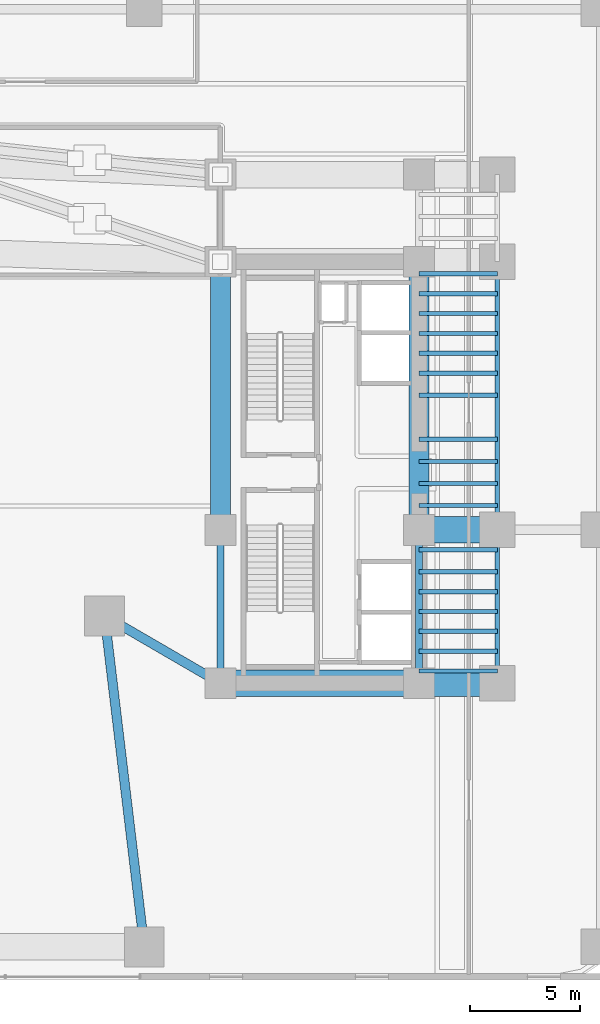
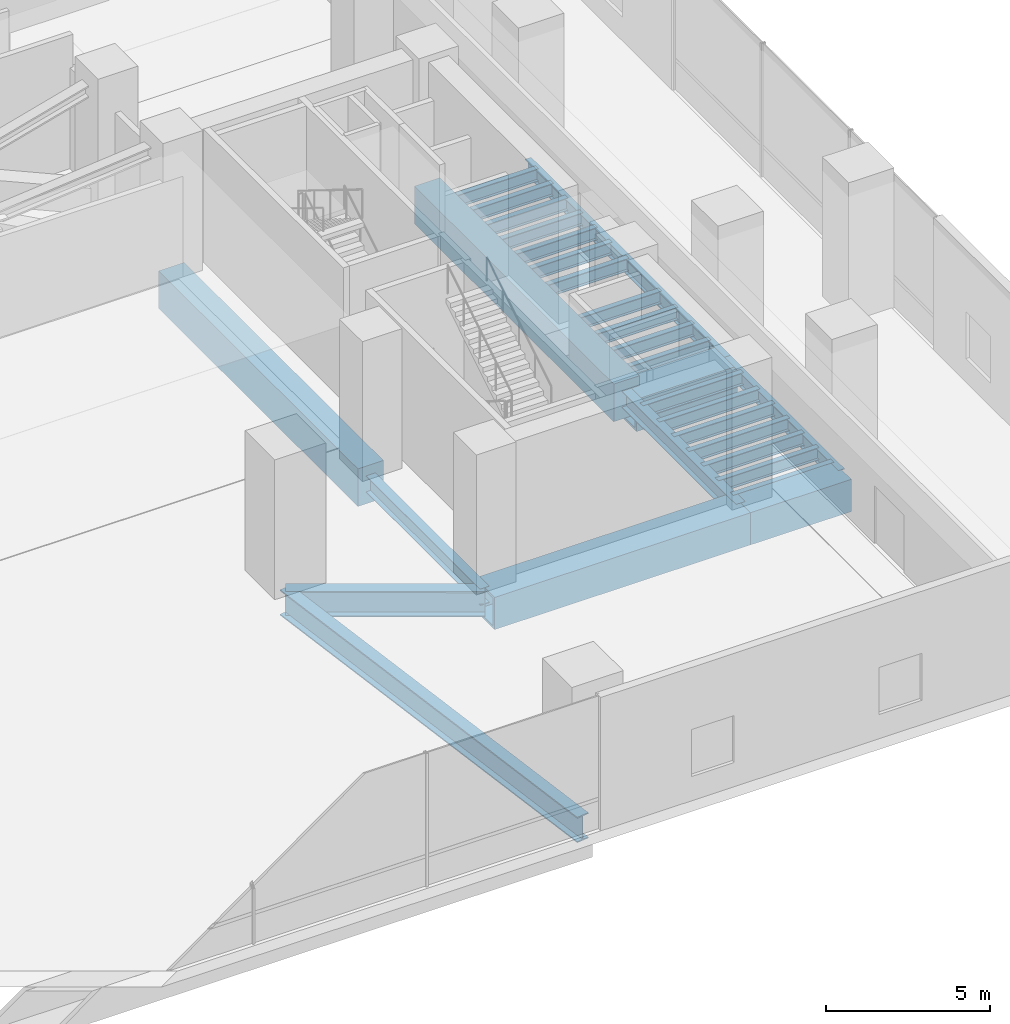
# One storey, part 11 of 41: 29 beams.
"""IFC4 building model written with IfcOpenShell, lengths in metres."""

from ifc_helpers import new_model, si_unit, direction, frame, origin, origin_2d, place, context, subcontext, project, spatial, rectangle, hollow_rectangle, i_section, extrude, source, transform, mapped, material, material_profile, profile_set, type_object, element, save


model = new_model("IFC4")

# Units and contexts
model_context = context("Model", 3, precision=1e-05, world=origin(), true_north=direction((0.0, 1.0)))
body_context = subcontext(model_context, "Body", "Model", "MODEL_VIEW")
ifc_project = project(units=[si_unit("LENGTHUNIT", "METRE"), si_unit("AREAUNIT", "SQUARE_METRE"), si_unit("VOLUMEUNIT", "CUBIC_METRE"), si_unit("PLANEANGLEUNIT", "RADIAN"), si_unit("MASSUNIT", "GRAM", prefix="KILO")], contexts=[model_context])

# Site, building, storey
site_placement = place(None, origin())
site = spatial("IfcSite", under=ifc_project, at=site_placement, CompositionType="ELEMENT")
building_placement = place(site_placement, origin())
building = spatial("IfcBuilding", under=site, at=building_placement, Name="Valdorenza Pilgrim Sanctuary Tower", CompositionType="ELEMENT")
storey_placement = place(building_placement, frame((0.0, 0.0, 20.800048828125)))
storey = spatial("IfcBuildingStorey", under=building, at=storey_placement, Name="L04", CompositionType="ELEMENT", Elevation=20.800048828125)

# Beams
ifc_material_1 = material(Name="Concrete C60/75", Category="concrete")
ifc_material_profile_1 = material_profile(ifc_material_1, rectangle(XDim=0.89990234375, YDim=1.39990234375, at=origin_2d()), Name="RC 1400x900")
ifc_profile_set_1 = profile_set([ifc_material_profile_1], Name="Concrete C60/75")
beam_type_1 = type_object("IfcBeamType", Name="STR-BM-LNT-1400", PredefinedType="LINTEL", material=ifc_profile_set_1)
shared_shape_1 = source(origin(), body_context, "Body", "SweptSolid", [
    extrude(rectangle(XDim=0.89990234375, YDim=1.39990234375, at=origin_2d()), origin(), (0.0, 0.0, 1.0), 12.150146484375),
])
for number, where, z_axis, x_axis, name in (
    (1, (15.85009765625, -2.60009765625, -0.739990234375), (0.0, 1.0, 0.0), (-1.0, 0.0, 0.0), "L04 Core B West Coupling Lintel Girder"),
    (2, (24.85009765625, -2.60009765625, -0.739990234375), (0.0, 1.0, 0.0), (-1.0, 0.0, 0.0), "L04 Core B East Coupling Lintel Girder"),
):
    element("IfcBeam", number, at=place(storey_placement, frame(where, z_axis=z_axis, x_axis=x_axis)), inside=storey, type_object=beam_type_1, Name=name, PredefinedType="LINTEL", context=body_context, shape_type="MappedRepresentation", body=[
        mapped(shared_shape_1, transform((0.0, 0.0, 0.0), x_axis=(1.0, 0.0, 0.0), y_axis=(0.0, 1.0, 0.0), z_axis=(0.0, 0.0, 1.0), scale=1.0)),
    ])
ifc_material_2 = material(Name="Steel ASTM A992 Grade 50", Category="steel")
ifc_material_profile_2 = material_profile(ifc_material_2, i_section(OverallWidth=0.323974609375, OverallDepth=0.611083984375, WebThickness=0.0126953125, FlangeThickness=0.01904296875, at=origin_2d()), Name="W24X104")
ifc_profile_set_2 = profile_set([ifc_material_profile_2], Name="Steel ASTM A992 Grade 50")
beam_type_2 = type_object("IfcBeamType", Name="STR-BM-GRD-W24B", PredefinedType="BEAM", material=ifc_profile_set_2)
shared_shape_2 = source(origin(), body_context, "Body", "SweptSolid", [
    extrude(i_section(OverallWidth=0.323974609375, OverallDepth=0.611083984375, WebThickness=0.0126953125, FlangeThickness=0.01904296875, at=origin_2d()), origin(), (0.0, 0.0, 1.0), 6.949951171875),
])
for number, where, z_axis, x_axis, name in (
    (3, (15.85009765625, -9.550048828125, -0.70556640625), (0.0, 1.0, 0.0), (-1.0, 0.0, 0.0), "L04 Core Tie Girder CB-W-S1M0"),
    (4, (24.85009765625, -9.550048828125, -0.70556640625), (0.0, 1.0, 0.0), (-1.0, 0.0, 0.0), "L04 Core Tie Girder CB-E-S1M0"),
):
    element("IfcBeam", number, at=place(storey_placement, frame(where, z_axis=z_axis, x_axis=x_axis)), inside=storey, type_object=beam_type_2, Name=name, PredefinedType="BEAM", context=body_context, shape_type="MappedRepresentation", body=[
        mapped(shared_shape_2, transform((0.0, 0.0, 0.0), x_axis=(1.0, 0.0, 0.0), y_axis=(0.0, 1.0, 0.0), z_axis=(0.0, 0.0, 1.0), scale=1.0)),
    ])
ifc_material_profile_3 = material_profile(ifc_material_2, i_section(OverallWidth=0.214111328125, OverallDepth=0.549072265625, WebThickness=0.0146484375, FlangeThickness=0.023681640625, at=origin_2d()), Name="W21X93")
ifc_profile_set_3 = profile_set([ifc_material_profile_3], Name="Steel ASTM A992 Grade 50")
beam_type_3 = type_object("IfcBeamType", Name="STR-BM-SPN-W21A", PredefinedType="SPANDREL", material=ifc_profile_set_3)
shared_shape_3 = source(origin(), body_context, "Body", "SweptSolid", [
    extrude(i_section(OverallWidth=0.214111328125, OverallDepth=0.549072265625, WebThickness=0.0146484375, FlangeThickness=0.023681640625, at=origin_2d()), origin(), (0.0, 0.0, 1.0), 6.949951171875),
])
beam_1_placement = place(storey_placement, frame((28.39990234375, -9.550048828125, -0.674560546875), z_axis=(0.0, 1.0, 0.0), x_axis=(-1.0, 0.0, 0.0)))
element("IfcBeam", 5, at=beam_1_placement, inside=storey, type_object=beam_type_3, Name="L04 Spandrel Beam WB-E-S1M0", PredefinedType="SPANDREL", context=body_context, shape_type="MappedRepresentation", body=[
    mapped(shared_shape_3, transform((0.0, 0.0, 0.0), x_axis=(1.0, 0.0, 0.0), y_axis=(0.0, 1.0, 0.0), z_axis=(0.0, 0.0, 1.0), scale=1.0)),
])
shared_shape_4 = source(origin(), body_context, "Body", "SweptSolid", [
    extrude(i_section(OverallWidth=0.214111328125, OverallDepth=0.549072265625, WebThickness=0.0146484375, FlangeThickness=0.023681640625, at=origin_2d()), origin(), (0.0, 0.0, 1.0), 12.150146484375),
])
beam_2_placement = place(storey_placement, frame((28.39990234375, -2.60009765625, -0.674560546875), z_axis=(0.0, 1.0, 0.0), x_axis=(-1.0, 0.0, 0.0)))
element("IfcBeam", 6, at=beam_2_placement, inside=storey, type_object=beam_type_3, Name="L04 Spandrel Beam WB-E-M0N1", PredefinedType="SPANDREL", context=body_context, shape_type="MappedRepresentation", body=[
    mapped(shared_shape_4, transform((0.0, 0.0, 0.0), x_axis=(1.0, 0.0, 0.0), y_axis=(0.0, 1.0, 0.0), z_axis=(0.0, 0.0, 1.0), scale=1.0)),
])
ifc_material_profile_4 = material_profile(ifc_material_2, i_section(OverallWidth=0.193115234375, OverallDepth=0.466064453125, WebThickness=0.011474609375, FlangeThickness=0.01904296875, at=origin_2d()), Name="W18X65")
ifc_profile_set_4 = profile_set([ifc_material_profile_4], Name="Steel ASTM A992 Grade 50")
beam_type_4 = type_object("IfcBeamType", Name="STR-BM-JST-W18A", PredefinedType="JOIST", material=ifc_profile_set_4)
shared_shape_5 = source(origin(), body_context, "Body", "SweptSolid", [
    extrude(i_section(OverallWidth=0.193115234375, OverallDepth=0.466064453125, WebThickness=0.011474609375, FlangeThickness=0.01904296875, at=origin_2d()), origin(), (0.0, 0.0, 1.0), 3.5498046875),
])
for number, where, z_axis, x_axis, name in (
    (7, (24.85009765625, -9.0, -0.633056640625), (1.0, 0.0, 0.0), (0.0, 1.0, 0.0), "L04 Composite Floor Joist JST-WB-1"),
    (8, (24.85009765625, -8.10009765625, -0.633056640625), (1.0, 0.0, 0.0), (0.0, 1.0, 0.0), "L04 Composite Floor Joist JST-WB-2"),
    (9, (24.85009765625, -7.199951171875, -0.633056640625), (1.0, 0.0, 0.0), (0.0, 1.0, 0.0), "L04 Composite Floor Joist JST-WB-3"),
    (10, (24.85009765625, -6.300048828125, -0.633056640625), (1.0, 0.0, 0.0), (0.0, 1.0, 0.0), "L04 Composite Floor Joist JST-WB-4"),
    (11, (24.85009765625, -5.39990234375, -0.633056640625), (1.0, 0.0, 0.0), (0.0, 1.0, 0.0), "L04 Composite Floor Joist JST-WB-5"),
    (12, (24.85009765625, -4.5, -0.633056640625), (1.0, 0.0, 0.0), (0.0, 1.0, 0.0), "L04 Composite Floor Joist JST-WB-6"),
    (13, (24.85009765625, -3.5, -0.633056640625), (1.0, 0.0, 0.0), (0.0, 1.0, 0.0), "L04 Composite Floor Joist JST-WB-7"),
    (14, (24.85009765625, -1.5, -0.633056640625), (1.0, 0.0, 0.0), (0.0, 1.0, 0.0), "L04 Composite Floor Joist JST-WB-8"),
    (15, (24.85009765625, -0.5, -0.633056640625), (1.0, 0.0, 0.0), (0.0, 1.0, 0.0), "L04 Composite Floor Joist JST-WB-9"),
    (16, (24.85009765625, 0.5, -0.633056640625), (1.0, 0.0, 0.0), (0.0, 1.0, 0.0), "L04 Composite Floor Joist JST-WB-10"),
    (17, (24.85009765625, 1.5, -0.633056640625), (1.0, 0.0, 0.0), (0.0, 1.0, 0.0), "L04 Composite Floor Joist JST-WB-11"),
    (18, (24.85009765625, 3.5, -0.633056640625), (1.0, 0.0, 0.0), (0.0, 1.0, 0.0), "L04 Composite Floor Joist JST-WB-12"),
    (19, (24.85009765625, 4.5, -0.633056640625), (1.0, 0.0, 0.0), (0.0, 1.0, 0.0), "L04 Composite Floor Joist JST-WB-13"),
    (20, (24.85009765625, 5.39990234375, -0.633056640625), (1.0, 0.0, 0.0), (0.0, 1.0, 0.0), "L04 Composite Floor Joist JST-WB-14"),
    (21, (24.85009765625, 6.300048828125, -0.633056640625), (1.0, 0.0, 0.0), (0.0, 1.0, 0.0), "L04 Composite Floor Joist JST-WB-15"),
    (22, (24.85009765625, 7.199951171875, -0.633056640625), (1.0, 0.0, 0.0), (0.0, 1.0, 0.0), "L04 Composite Floor Joist JST-WB-16"),
    (23, (24.85009765625, 8.10009765625, -0.633056640625), (1.0, 0.0, 0.0), (0.0, 1.0, 0.0), "L04 Composite Floor Joist JST-WB-17"),
    (24, (24.85009765625, 9.0, -0.633056640625), (1.0, 0.0, 0.0), (0.0, 1.0, 0.0), "L04 Composite Floor Joist JST-WB-18"),
):
    element("IfcBeam", number, at=place(storey_placement, frame(where, z_axis=z_axis, x_axis=x_axis)), inside=storey, type_object=beam_type_4, Name=name, PredefinedType="JOIST", context=body_context, shape_type="MappedRepresentation", body=[
        mapped(shared_shape_5, transform((0.0, 0.0, 0.0), x_axis=(1.0, 0.0, 0.0), y_axis=(0.0, 1.0, 0.0), z_axis=(0.0, 0.0, 1.0), scale=1.0)),
    ])
ifc_material_profile_5 = material_profile(ifc_material_2, i_section(OverallWidth=0.423095703125, OverallDepth=0.947998046875, WebThickness=0.02392578125, FlangeThickness=0.042724609375, at=origin_2d()), Name="W36X302")
ifc_profile_set_5 = profile_set([ifc_material_profile_5], Name="Steel ASTM A992 Grade 50")
beam_type_5 = type_object("IfcBeamType", Name="STR-BM-GRD-W36A", PredefinedType="BEAM", material=ifc_profile_set_5)
shared_shape_6 = source(origin(), body_context, "Body", "SweptSolid", [
    extrude(i_section(OverallWidth=0.423095703125, OverallDepth=0.947998046875, WebThickness=0.02392578125, FlangeThickness=0.042724609375, at=origin_2d()), origin(), (0.0, 0.0, 1.0), 15.107666015625),
])
beam_3_placement = place(storey_placement, frame((12.39990234375, -21.5, -0.8740234375), z_axis=(-0.119132476027, 0.992878367755, 0.0), x_axis=(-0.992878367755, -0.119132476027, 0.0)))
element("IfcBeam", 25, at=beam_3_placement, inside=storey, type_object=beam_type_5, Name="L04 Floor Girder POD-ARCH-E", PredefinedType="BEAM", context=body_context, shape_type="MappedRepresentation", body=[
    mapped(shared_shape_6, transform((0.0, 0.0, 0.0), x_axis=(1.0, 0.0, 0.0), y_axis=(0.0, 1.0, 0.0), z_axis=(0.0, 0.0, 1.0), scale=1.0)),
])
shared_shape_7 = source(origin(), body_context, "Body", "SweptSolid", [
    extrude(i_section(OverallWidth=0.423095703125, OverallDepth=0.947998046875, WebThickness=0.02392578125, FlangeThickness=0.042724609375, at=origin_2d()), origin(), (0.0, 0.0, 1.0), 6.07177734375),
])
beam_4_placement = place(storey_placement, frame((10.60009765625, -6.5, -0.8740234375), z_axis=(0.864670076815, -0.50234018181, 0.0), x_axis=(0.50234018181, 0.864670076815, 0.0)))
element("IfcBeam", 26, at=beam_4_placement, inside=storey, type_object=beam_type_5, Name="L04 Floor Girder POD-ARCH-NE", PredefinedType="BEAM", context=body_context, shape_type="MappedRepresentation", body=[
    mapped(shared_shape_7, transform((0.0, 0.0, 0.0), x_axis=(1.0, 0.0, 0.0), y_axis=(0.0, 1.0, 0.0), z_axis=(0.0, 0.0, 1.0), scale=1.0)),
])
ifc_material_3 = material(Name="Steel ASTM A572 Grade 42", Category="steel")
ifc_material_profile_6 = material_profile(ifc_material_3, hollow_rectangle(XDim=1.199951171875, YDim=1.199951171875, WallThickness=0.090087890625, at=origin_2d()), Name="BOX 1200x1200x90")
ifc_profile_set_6 = profile_set([ifc_material_profile_6], Name="Steel ASTM A572 Grade 42")
beam_type_6 = type_object("IfcBeamType", Name="STR-BM-TRF-1200", PredefinedType="BEAM", material=ifc_profile_set_6)
shared_shape_8 = source(origin(), body_context, "Body", "SweptSolid", [
    extrude(hollow_rectangle(XDim=1.199951171875, YDim=1.199951171875, WallThickness=0.090087890625, at=origin_2d()), origin(), (0.0, 0.0, 1.0), 9.0),
])
beam_5_placement = place(storey_placement, frame((15.85009765625, -9.550048828125, -1.0), z_axis=(1.0, 0.0, 0.0), x_axis=(0.0, 1.0, 0.0)))
element("IfcBeam", 27, at=beam_5_placement, inside=storey, type_object=beam_type_6, Name="L04 Transfer Girder CB-XC-S1", PredefinedType="BEAM", context=body_context, shape_type="MappedRepresentation", body=[
    mapped(shared_shape_8, transform((0.0, 0.0, 0.0), x_axis=(1.0, 0.0, 0.0), y_axis=(0.0, 1.0, 0.0), z_axis=(0.0, 0.0, 1.0), scale=1.0)),
])
shared_shape_9 = source(origin(), body_context, "Body", "SweptSolid", [
    extrude(hollow_rectangle(XDim=1.199951171875, YDim=1.199951171875, WallThickness=0.090087890625, at=origin_2d()), origin(), (0.0, 0.0, 1.0), 3.5498046875),
])
for number, where, z_axis, x_axis, name in (
    (28, (24.85009765625, -9.550048828125, -1.0), (1.0, 0.0, 0.0), (0.0, 1.0, 0.0), "L04 Transfer Girder WB-XE-S1"),
    (29, (24.85009765625, -2.60009765625, -1.0), (1.0, 0.0, 0.0), (0.0, 1.0, 0.0), "L04 Transfer Girder WB-XE-M0"),
):
    element("IfcBeam", number, at=place(storey_placement, frame(where, z_axis=z_axis, x_axis=x_axis)), inside=storey, type_object=beam_type_6, Name=name, PredefinedType="BEAM", context=body_context, shape_type="MappedRepresentation", body=[
        mapped(shared_shape_9, transform((0.0, 0.0, 0.0), x_axis=(1.0, 0.0, 0.0), y_axis=(0.0, 1.0, 0.0), z_axis=(0.0, 0.0, 1.0), scale=1.0)),
    ])

save(model, "model.ifc")
